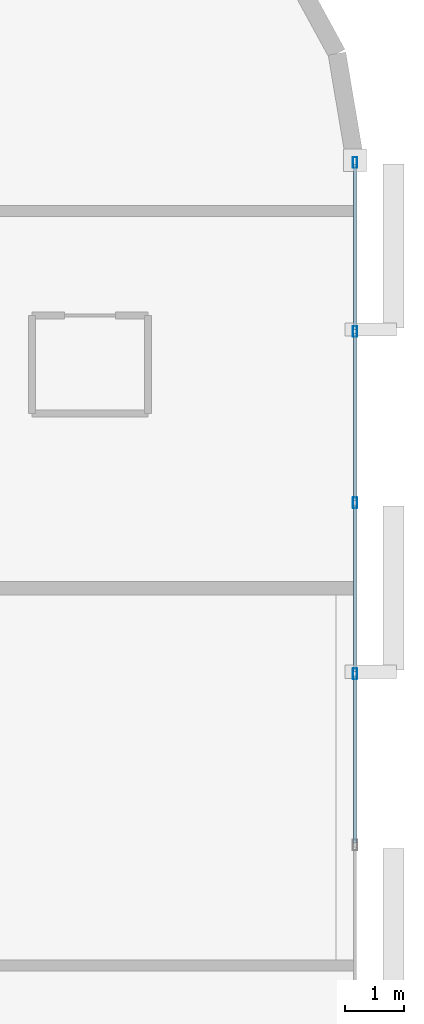
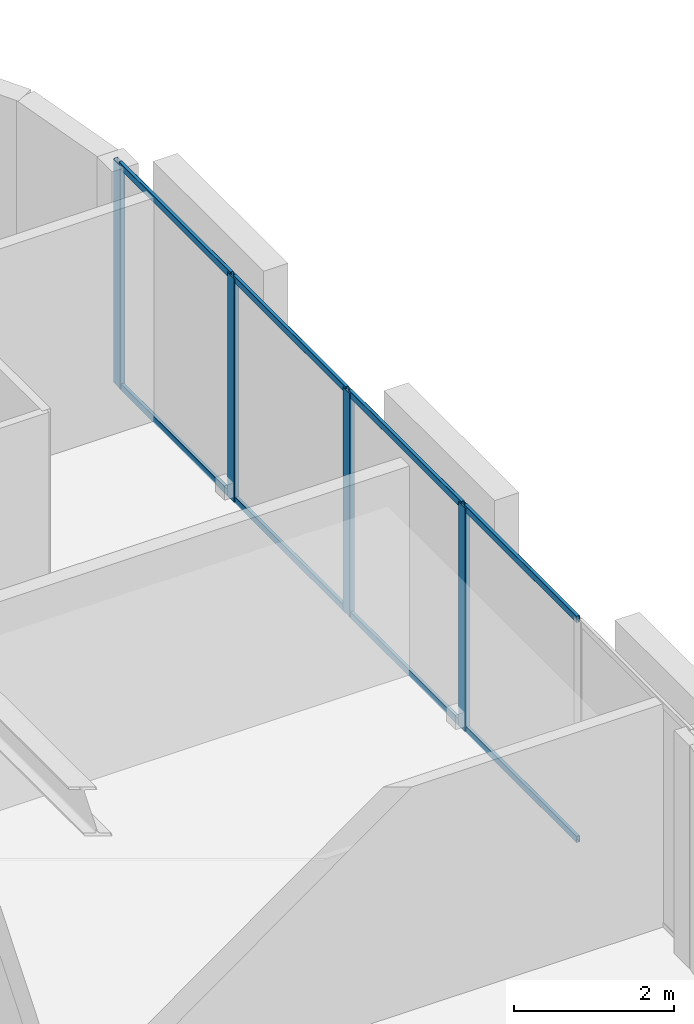
# One storey, part 6 of 15: 12 members, 1 element without a shape of its own.
"""IFC4 building model written with IfcOpenShell, lengths in metres."""

from ifc_helpers import new_model, si_unit, direction, frame, origin, origin_2d, place, context, subcontext, project, spatial, hollow_rectangle, extrude, material, layer, layer_set, material_profile, profile_set, type_object, element, aggregate, save


model = new_model("IFC4")

# Units and contexts
model_context = context("Model", 3, precision=1e-05, world=origin(), true_north=direction((0.0, 1.0)))
body_context = subcontext(model_context, "Body", "Model", "MODEL_VIEW")
ifc_project = project(units=[si_unit("LENGTHUNIT", "METRE"), si_unit("AREAUNIT", "SQUARE_METRE"), si_unit("VOLUMEUNIT", "CUBIC_METRE"), si_unit("PLANEANGLEUNIT", "RADIAN"), si_unit("MASSUNIT", "GRAM", prefix="KILO")], contexts=[model_context])

# Site, building, storey
site_placement = place(None, origin())
site = spatial("IfcSite", under=ifc_project, at=site_placement, CompositionType="ELEMENT")
building_placement = place(site_placement, origin())
building = spatial("IfcBuilding", under=site, at=building_placement, Name="An Khanh Terracotta Commons", CompositionType="ELEMENT")
storey_placement = place(building_placement, frame((0.0, 0.0, 143.800048828125)))
storey = spatial("IfcBuildingStorey", under=building, at=storey_placement, Name="L37", CompositionType="ELEMENT", Elevation=143.800048828125)

# Curtain wall, members
ifc_material = material(Name="Anodised Aluminium 6063-T6", Category="aluminium")
ifc_layer = layer(ifc_material, 0.2099609375, Name="Anodised Aluminium 6063-T6")
ifc_layer_set = layer_set([ifc_layer], Name="Anodised Aluminium 6063-T6")
curtain_wall_type = type_object("IfcCurtainWallType", Name="CW-SYS-03", PredefinedType="USERDEFINED", material=ifc_layer_set)
curtain_wall_placement = place(storey_placement, origin())
curtain_wall = element("IfcCurtainWall", 1, at=curtain_wall_placement, inside=storey, type_object=curtain_wall_type, Name="L37 CW-03 Unitised Curtain Wall CW-L37-12", ObjectType="UNITISED CURTAIN WALL", PredefinedType="USERDEFINED")
ifc_material_profile_1 = material_profile(ifc_material, hollow_rectangle(XDim=0.070068359375, YDim=0.179931640625, WallThickness=0.00390625, InnerFilletRadius=0.00390625, OuterFilletRadius=0.008056640625, at=origin_2d()), Name="RHS180x70x4")
ifc_profile_set_1 = profile_set([ifc_material_profile_1], Name="Anodised Aluminium 6063-T6")
member_type_1 = type_object("IfcMemberType", Name="CWM-RHS180x70x4", PredefinedType="MULLION", material=ifc_profile_set_1)
member_1_placement = place(storey_placement, frame((63.0, 22.56005859375, 0.0), z_axis=(0.0, 0.0, 1.0), x_axis=(-1.0, 0.0, 0.0)))
member_1 = element("IfcMember", 2, at=member_1_placement, type_object=member_type_1, Name="CW-03 mullion 3", PredefinedType="MULLION", context=body_context, shape_type="SweptSolid", body=[
    extrude(hollow_rectangle(XDim=0.070068359375, YDim=0.179931640625, WallThickness=0.00390625, InnerFilletRadius=0.00390625, OuterFilletRadius=0.008056640625, at=origin_2d()), origin(), (0.0, 0.0, 1.0), 3.39990234375),
])
member_2_placement = place(storey_placement, frame((63.0, 25.43994140625, 0.0), z_axis=(0.0, 0.0, 1.0), x_axis=(-1.0, 0.0, 0.0)))
member_2 = element("IfcMember", 3, at=member_2_placement, type_object=member_type_1, Name="CW-03 mullion 4", PredefinedType="MULLION", context=body_context, shape_type="SweptSolid", body=[
    extrude(hollow_rectangle(XDim=0.070068359375, YDim=0.179931640625, WallThickness=0.00390625, InnerFilletRadius=0.00390625, OuterFilletRadius=0.008056640625, at=origin_2d()), origin(), (0.0, 0.0, 1.0), 3.39990234375),
])
member_3_placement = place(storey_placement, frame((63.0, 28.320068359375, 0.0), z_axis=(0.0, 0.0, 1.0), x_axis=(-1.0, 0.0, 0.0)))
member_3 = element("IfcMember", 4, at=member_3_placement, type_object=member_type_1, Name="CW-03 mullion 5", PredefinedType="MULLION", context=body_context, shape_type="SweptSolid", body=[
    extrude(hollow_rectangle(XDim=0.070068359375, YDim=0.179931640625, WallThickness=0.00390625, InnerFilletRadius=0.00390625, OuterFilletRadius=0.008056640625, at=origin_2d()), origin(), (0.0, 0.0, 1.0), 3.39990234375),
])
member_4_placement = place(storey_placement, frame((63.0, 31.1650390625, 0.0), z_axis=(0.0, 0.0, 1.0), x_axis=(-1.0, 0.0, 0.0)))
member_4 = element("IfcMember", 5, at=member_4_placement, type_object=member_type_1, Name="CW-03 mullion 6", PredefinedType="MULLION", context=body_context, shape_type="SweptSolid", body=[
    extrude(hollow_rectangle(XDim=0.070068359375, YDim=0.179931640625, WallThickness=0.00390625, InnerFilletRadius=0.00390625, OuterFilletRadius=0.008056640625, at=origin_2d()), origin(), (0.0, 0.0, 1.0), 3.39990234375),
])
ifc_material_profile_2 = material_profile(ifc_material, hollow_rectangle(XDim=0.050048828125, YDim=0.10009765625, WallThickness=0.003173828125, InnerFilletRadius=0.003173828125, OuterFilletRadius=0.00634765625, at=origin_2d()), Name="RHS100x50x3.2")
ifc_profile_set_2 = profile_set([ifc_material_profile_2], Name="Anodised Aluminium 6063-T6")
member_type_2 = type_object("IfcMemberType", Name="CWT-RHS100x50x3.2", PredefinedType="USERDEFINED", material=ifc_profile_set_2)
member_5_placement = place(storey_placement, frame((63.0, 19.715087890625, 0.02490234375), z_axis=(0.0, 1.0, 0.0), x_axis=(-1.0, 0.0, 0.0)))
member_5 = element("IfcMember", 6, at=member_5_placement, type_object=member_type_2, Name="CW-03 transom 2.1", ObjectType="TRANSOM", PredefinedType="USERDEFINED", context=body_context, shape_type="SweptSolid", body=[
    extrude(hollow_rectangle(XDim=0.050048828125, YDim=0.10009765625, WallThickness=0.003173828125, InnerFilletRadius=0.003173828125, OuterFilletRadius=0.00634765625, at=origin_2d()), origin(), (0.0, 0.0, 1.0), 2.809814453125),
])
member_6_placement = place(storey_placement, frame((63.0, 19.715087890625, 3.375), z_axis=(0.0, 1.0, 0.0), x_axis=(-1.0, 0.0, 0.0)))
member_6 = element("IfcMember", 7, at=member_6_placement, type_object=member_type_2, Name="CW-03 transom 2.2", ObjectType="TRANSOM", PredefinedType="USERDEFINED", context=body_context, shape_type="SweptSolid", body=[
    extrude(hollow_rectangle(XDim=0.050048828125, YDim=0.10009765625, WallThickness=0.003173828125, InnerFilletRadius=0.003173828125, OuterFilletRadius=0.00634765625, at=origin_2d()), origin(), (0.0, 0.0, 1.0), 2.809814453125),
])
member_7_placement = place(storey_placement, frame((63.0, 22.594970703125, 0.02490234375), z_axis=(0.0, 1.0, 0.0), x_axis=(-1.0, 0.0, 0.0)))
member_7 = element("IfcMember", 8, at=member_7_placement, type_object=member_type_2, Name="CW-03 transom 3.1", ObjectType="TRANSOM", PredefinedType="USERDEFINED", context=body_context, shape_type="SweptSolid", body=[
    extrude(hollow_rectangle(XDim=0.050048828125, YDim=0.10009765625, WallThickness=0.003173828125, InnerFilletRadius=0.003173828125, OuterFilletRadius=0.00634765625, at=origin_2d()), origin(), (0.0, 0.0, 1.0), 2.81005859375),
])
member_8_placement = place(storey_placement, frame((63.0, 22.594970703125, 3.375), z_axis=(0.0, 1.0, 0.0), x_axis=(-1.0, 0.0, 0.0)))
member_8 = element("IfcMember", 9, at=member_8_placement, type_object=member_type_2, Name="CW-03 transom 3.2", ObjectType="TRANSOM", PredefinedType="USERDEFINED", context=body_context, shape_type="SweptSolid", body=[
    extrude(hollow_rectangle(XDim=0.050048828125, YDim=0.10009765625, WallThickness=0.003173828125, InnerFilletRadius=0.003173828125, OuterFilletRadius=0.00634765625, at=origin_2d()), origin(), (0.0, 0.0, 1.0), 2.81005859375),
])
member_9_placement = place(storey_placement, frame((63.0, 25.47509765625, 0.02490234375), z_axis=(0.0, 1.0, 0.0), x_axis=(-1.0, 0.0, 0.0)))
member_9 = element("IfcMember", 10, at=member_9_placement, type_object=member_type_2, Name="CW-03 transom 4.1", ObjectType="TRANSOM", PredefinedType="USERDEFINED", context=body_context, shape_type="SweptSolid", body=[
    extrude(hollow_rectangle(XDim=0.050048828125, YDim=0.10009765625, WallThickness=0.003173828125, InnerFilletRadius=0.003173828125, OuterFilletRadius=0.00634765625, at=origin_2d()), origin(), (0.0, 0.0, 1.0), 2.809814453125),
])
member_10_placement = place(storey_placement, frame((63.0, 25.47509765625, 3.375), z_axis=(0.0, 1.0, 0.0), x_axis=(-1.0, 0.0, 0.0)))
member_10 = element("IfcMember", 11, at=member_10_placement, type_object=member_type_2, Name="CW-03 transom 4.2", ObjectType="TRANSOM", PredefinedType="USERDEFINED", context=body_context, shape_type="SweptSolid", body=[
    extrude(hollow_rectangle(XDim=0.050048828125, YDim=0.10009765625, WallThickness=0.003173828125, InnerFilletRadius=0.003173828125, OuterFilletRadius=0.00634765625, at=origin_2d()), origin(), (0.0, 0.0, 1.0), 2.809814453125),
])
member_11_placement = place(storey_placement, frame((63.0, 28.35498046875, 0.02490234375), z_axis=(0.0, 1.0, 0.0), x_axis=(-1.0, 0.0, 0.0)))
member_11 = element("IfcMember", 12, at=member_11_placement, type_object=member_type_2, Name="CW-03 transom 5.1", ObjectType="TRANSOM", PredefinedType="USERDEFINED", context=body_context, shape_type="SweptSolid", body=[
    extrude(hollow_rectangle(XDim=0.050048828125, YDim=0.10009765625, WallThickness=0.003173828125, InnerFilletRadius=0.003173828125, OuterFilletRadius=0.00634765625, at=origin_2d()), origin(), (0.0, 0.0, 1.0), 2.77490234375),
])
member_12_placement = place(storey_placement, frame((63.0, 28.35498046875, 3.375), z_axis=(0.0, 1.0, 0.0), x_axis=(-1.0, 0.0, 0.0)))
member_12 = element("IfcMember", 13, at=member_12_placement, type_object=member_type_2, Name="CW-03 transom 5.2", ObjectType="TRANSOM", PredefinedType="USERDEFINED", context=body_context, shape_type="SweptSolid", body=[
    extrude(hollow_rectangle(XDim=0.050048828125, YDim=0.10009765625, WallThickness=0.003173828125, InnerFilletRadius=0.003173828125, OuterFilletRadius=0.00634765625, at=origin_2d()), origin(), (0.0, 0.0, 1.0), 2.77490234375),
])
aggregate(curtain_wall, [member_1, member_2, member_3, member_4, member_5, member_6, member_7, member_8, member_9, member_10, member_11, member_12])

save(model, "model.ifc")
